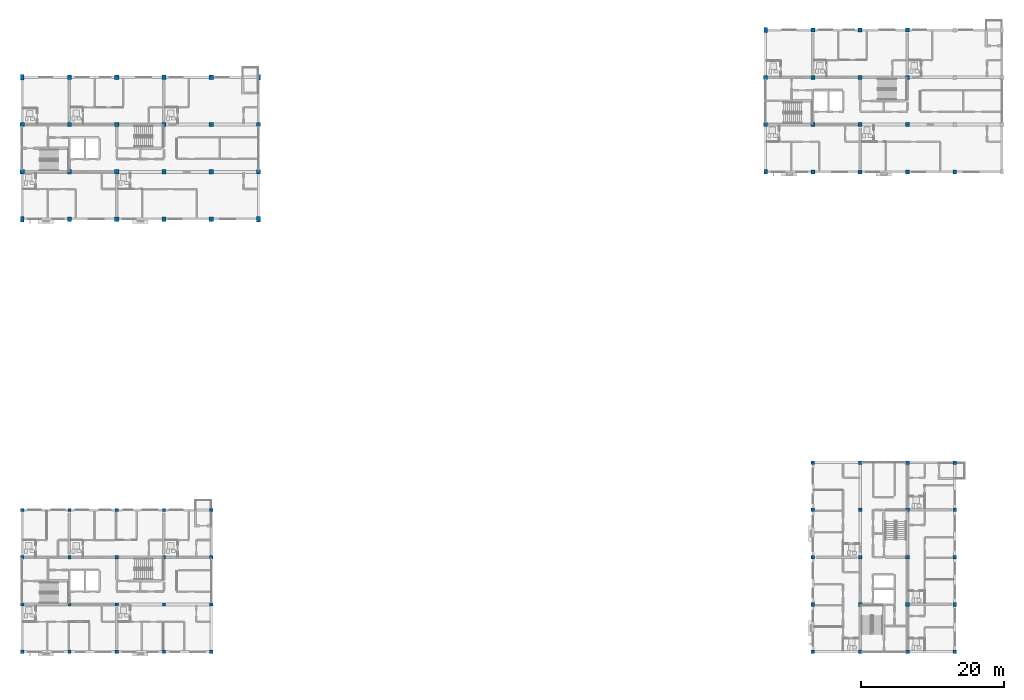
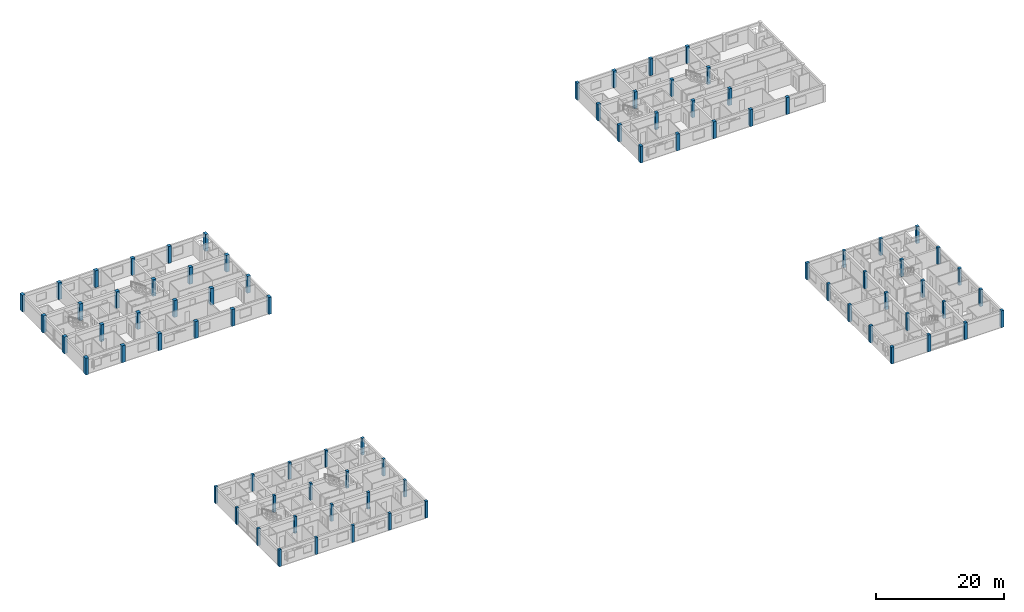
# One storey, part 1 of 52: 81 columns.
"""IFC4 building model written with IfcOpenShell, lengths in metres."""

from ifc_helpers import new_model, si_unit, direction, frame, origin, origin_2d, place, context, subcontext, project, spatial, rectangle, extrude, material, material_profile, profile_set, type_object, element, save


model = new_model("IFC4")

# Units and contexts
model_context = context("Model", 3, precision=1e-05, world=origin(), true_north=direction((0.0, 1.0)))
body_context = subcontext(model_context, "Body", "Model", "MODEL_VIEW")
ifc_project = project(units=[si_unit("LENGTHUNIT", "METRE"), si_unit("AREAUNIT", "SQUARE_METRE"), si_unit("VOLUMEUNIT", "CUBIC_METRE"), si_unit("PLANEANGLEUNIT", "RADIAN"), si_unit("MASSUNIT", "GRAM", prefix="KILO")], contexts=[model_context])

# Site, building, storey
site_placement = place(None, origin())
site = spatial("IfcSite", under=ifc_project, at=site_placement, CompositionType="ELEMENT")
building_placement = place(site_placement, origin())
building = spatial("IfcBuilding", under=site, at=building_placement, Name="Kernevlak Ridge Housing Community", CompositionType="ELEMENT")
storey_placement = place(building_placement, frame((0.0, 0.0, 11.60009765625)))
storey = spatial("IfcBuildingStorey", under=building, at=storey_placement, Name="L03", CompositionType="ELEMENT", Elevation=11.60009765625)

# Columns
ifc_material_1 = material(Name="Concrete C40/50", Category="concrete")
ifc_material_profile_1 = material_profile(ifc_material_1, rectangle(XDim=0.60009765625, YDim=0.60009765625, at=origin_2d()), Name="RC 600x600")
ifc_profile_set_1 = profile_set([ifc_material_profile_1], Name="Concrete C40/50")
column_type_1 = type_object("IfcColumnType", Name="C-01", PredefinedType="COLUMN", material=ifc_profile_set_1)
for number, where, z_axis, x_axis, name in (
    (1, (15.60009765625, 82.60009765625, 0.0), (0.0, 0.0, 1.0), (1.0, 0.0, 0.0), "Column C-01 COL-A-L03-00-1"),
    (2, (15.60009765625, 89.199951171875, 0.0), (0.0, 0.0, 1.0), (1.0, 0.0, 0.0), "Column C-01 COL-A-L03-00-2"),
    (3, (22.199951171875, 76.0, 0.0), (0.0, 0.0, 1.0), (1.0, 0.0, 0.0), "Column C-01 COL-A-L03-01-0"),
    (4, (22.199951171875, 82.60009765625, 0.0), (0.0, 0.0, 1.0), (1.0, 0.0, 0.0), "Column C-01 COL-A-L03-01-1"),
    (5, (22.199951171875, 89.199951171875, 0.0), (0.0, 0.0, 1.0), (1.0, 0.0, 0.0), "Column C-01 COL-A-L03-01-2"),
    (6, (22.199951171875, 95.800048828125, 0.0), (0.0, 0.0, 1.0), (1.0, 0.0, 0.0), "Column C-01 COL-A-L03-01-3"),
    (7, (28.800048828125, 76.0, 0.0), (0.0, 0.0, 1.0), (1.0, 0.0, 0.0), "Column C-01 COL-A-L03-02-0"),
    (8, (28.800048828125, 82.60009765625, 0.0), (0.0, 0.0, 1.0), (1.0, 0.0, 0.0), "Column C-01 COL-A-L03-02-1"),
    (9, (28.800048828125, 89.199951171875, 0.0), (0.0, 0.0, 1.0), (1.0, 0.0, 0.0), "Column C-01 COL-A-L03-02-2"),
    (10, (28.800048828125, 95.800048828125, 0.0), (0.0, 0.0, 1.0), (1.0, 0.0, 0.0), "Column C-01 COL-A-L03-02-3"),
    (11, (35.39990234375, 76.0, 0.0), (0.0, 0.0, 1.0), (1.0, 0.0, 0.0), "Column C-01 COL-A-L03-03-0"),
    (12, (35.39990234375, 82.60009765625, 0.0), (0.0, 0.0, 1.0), (1.0, 0.0, 0.0), "Column C-01 COL-A-L03-03-1"),
    (13, (35.39990234375, 89.199951171875, 0.0), (0.0, 0.0, 1.0), (1.0, 0.0, 0.0), "Column C-01 COL-A-L03-03-2"),
    (14, (35.39990234375, 95.800048828125, 0.0), (0.0, 0.0, 1.0), (1.0, 0.0, 0.0), "Column C-01 COL-A-L03-03-3"),
    (15, (42.0, 76.0, 0.0), (0.0, 0.0, 1.0), (1.0, 0.0, 0.0), "Column C-01 COL-A-L03-04-0"),
    (16, (42.0, 82.60009765625, 0.0), (0.0, 0.0, 1.0), (1.0, 0.0, 0.0), "Column C-01 COL-A-L03-04-1"),
    (17, (42.0, 89.199951171875, 0.0), (0.0, 0.0, 1.0), (1.0, 0.0, 0.0), "Column C-01 COL-A-L03-04-2"),
    (18, (42.0, 95.800048828125, 0.0), (0.0, 0.0, 1.0), (1.0, 0.0, 0.0), "Column C-01 COL-A-L03-04-3"),
    (19, (48.60009765625, 82.60009765625, 0.0), (0.0, 0.0, 1.0), (1.0, 0.0, 0.0), "Column C-01 COL-A-L03-05-1"),
    (20, (48.60009765625, 89.199951171875, 0.0), (0.0, 0.0, 1.0), (1.0, 0.0, 0.0), "Column C-01 COL-A-L03-05-2"),
):
    element("IfcColumn", number, at=place(storey_placement, frame(where, z_axis=z_axis, x_axis=x_axis)), inside=storey, type_object=column_type_1, Name=name, PredefinedType="COLUMN", context=body_context, shape_type="SweptSolid", body=[
        extrude(rectangle(XDim=0.60009765625, YDim=0.60009765625, at=origin_2d()), origin(), (0.0, 0.0, 1.0), 3.199951171875),
    ])
ifc_material_profile_2 = material_profile(ifc_material_1, rectangle(XDim=0.550048828125, YDim=0.550048828125, at=origin_2d()), Name="RC 550x550")
ifc_profile_set_2 = profile_set([ifc_material_profile_2], Name="Concrete C40/50")
column_type_2 = type_object("IfcColumnType", Name="C-02", PredefinedType="COLUMN", material=ifc_profile_set_2)
for number, where, z_axis, x_axis, name in (
    (21, (119.39990234375, 89.199951171875, 0.0), (0.0, 0.0, 1.0), (1.0, 0.0, 0.0), "Column C-02 COL-B-L03-00-1"),
    (22, (119.39990234375, 95.800048828125, 0.0), (0.0, 0.0, 1.0), (1.0, 0.0, 0.0), "Column C-02 COL-B-L03-00-2"),
    (23, (126.0, 82.60009765625, 0.0), (0.0, 0.0, 1.0), (1.0, 0.0, 0.0), "Column C-02 COL-B-L03-01-0"),
    (24, (126.0, 89.199951171875, 0.0), (0.0, 0.0, 1.0), (1.0, 0.0, 0.0), "Column C-02 COL-B-L03-01-1"),
    (25, (126.0, 95.800048828125, 0.0), (0.0, 0.0, 1.0), (1.0, 0.0, 0.0), "Column C-02 COL-B-L03-01-2"),
    (26, (126.0, 102.39990234375, 0.0), (0.0, 0.0, 1.0), (1.0, 0.0, 0.0), "Column C-02 COL-B-L03-01-3"),
    (27, (132.60009765625, 82.60009765625, 0.0), (0.0, 0.0, 1.0), (1.0, 0.0, 0.0), "Column C-02 COL-B-L03-02-0"),
    (28, (132.60009765625, 89.199951171875, 0.0), (0.0, 0.0, 1.0), (1.0, 0.0, 0.0), "Column C-02 COL-B-L03-02-1"),
    (29, (132.60009765625, 95.800048828125, 0.0), (0.0, 0.0, 1.0), (1.0, 0.0, 0.0), "Column C-02 COL-B-L03-02-2"),
    (30, (132.60009765625, 102.39990234375, 0.0), (0.0, 0.0, 1.0), (1.0, 0.0, 0.0), "Column C-02 COL-B-L03-02-3"),
    (31, (139.199951171875, 82.60009765625, 0.0), (0.0, 0.0, 1.0), (1.0, 0.0, 0.0), "Column C-02 COL-B-L03-03-0"),
    (32, (139.199951171875, 89.199951171875, 0.0), (0.0, 0.0, 1.0), (1.0, 0.0, 0.0), "Column C-02 COL-B-L03-03-1"),
    (33, (139.199951171875, 95.800048828125, 0.0), (0.0, 0.0, 1.0), (1.0, 0.0, 0.0), "Column C-02 COL-B-L03-03-2"),
    (34, (139.199951171875, 102.39990234375, 0.0), (0.0, 0.0, 1.0), (1.0, 0.0, 0.0), "Column C-02 COL-B-L03-03-3"),
    (35, (145.800048828125, 82.60009765625, 0.0), (0.0, 0.0, 1.0), (1.0, 0.0, 0.0), "Column C-02 COL-B-L03-04-0"),
):
    element("IfcColumn", number, at=place(storey_placement, frame(where, z_axis=z_axis, x_axis=x_axis)), inside=storey, type_object=column_type_2, Name=name, PredefinedType="COLUMN", context=body_context, shape_type="SweptSolid", body=[
        extrude(rectangle(XDim=0.550048828125, YDim=0.550048828125, at=origin_2d()), origin(), (0.0, 0.0, 1.0), 3.199951171875),
    ])
ifc_material_profile_3 = material_profile(ifc_material_1, rectangle(XDim=0.5, YDim=0.5, at=origin_2d()), Name="RC 500x500")
ifc_profile_set_3 = profile_set([ifc_material_profile_3], Name="Concrete C40/50")
column_type_3 = type_object("IfcColumnType", Name="C-03", PredefinedType="COLUMN", material=ifc_profile_set_3)
for number, where, z_axis, x_axis, name in (
    (36, (126.0, 15.60009765625, 0.0), (0.0, 0.0, 1.0), (1.0, 0.0, 0.0), "Column C-03 COL-C-L03-00-0"),
    (37, (132.60009765625, 15.60009765625, 0.0), (0.0, 0.0, 1.0), (1.0, 0.0, 0.0), "Column C-03 COL-C-L03-00-1"),
    (38, (139.199951171875, 15.60009765625, 0.0), (0.0, 0.0, 1.0), (1.0, 0.0, 0.0), "Column C-03 COL-C-L03-00-2"),
    (39, (145.800048828125, 15.60009765625, 0.0), (0.0, 0.0, 1.0), (1.0, 0.0, 0.0), "Column C-03 COL-C-L03-00-3"),
    (40, (126.0, 22.199951171875, 0.0), (0.0, 0.0, 1.0), (1.0, 0.0, 0.0), "Column C-03 COL-C-L03-01-0"),
    (41, (132.60009765625, 22.199951171875, 0.0), (0.0, 0.0, 1.0), (1.0, 0.0, 0.0), "Column C-03 COL-C-L03-01-1"),
    (42, (139.199951171875, 22.199951171875, 0.0), (0.0, 0.0, 1.0), (1.0, 0.0, 0.0), "Column C-03 COL-C-L03-01-2"),
    (43, (145.800048828125, 22.199951171875, 0.0), (0.0, 0.0, 1.0), (1.0, 0.0, 0.0), "Column C-03 COL-C-L03-01-3"),
    (44, (126.0, 28.800048828125, 0.0), (0.0, 0.0, 1.0), (1.0, 0.0, 0.0), "Column C-03 COL-C-L03-02-0"),
    (45, (132.60009765625, 28.800048828125, 0.0), (0.0, 0.0, 1.0), (1.0, 0.0, 0.0), "Column C-03 COL-C-L03-02-1"),
    (46, (139.199951171875, 28.800048828125, 0.0), (0.0, 0.0, 1.0), (1.0, 0.0, 0.0), "Column C-03 COL-C-L03-02-2"),
    (47, (145.800048828125, 28.800048828125, 0.0), (0.0, 0.0, 1.0), (1.0, 0.0, 0.0), "Column C-03 COL-C-L03-02-3"),
    (48, (126.0, 35.39990234375, 0.0), (0.0, 0.0, 1.0), (1.0, 0.0, 0.0), "Column C-03 COL-C-L03-03-0"),
    (49, (132.60009765625, 35.39990234375, 0.0), (0.0, 0.0, 1.0), (1.0, 0.0, 0.0), "Column C-03 COL-C-L03-03-1"),
    (50, (139.199951171875, 35.39990234375, 0.0), (0.0, 0.0, 1.0), (1.0, 0.0, 0.0), "Column C-03 COL-C-L03-03-2"),
    (51, (145.800048828125, 35.39990234375, 0.0), (0.0, 0.0, 1.0), (1.0, 0.0, 0.0), "Column C-03 COL-C-L03-03-3"),
    (52, (126.0, 42.0, 0.0), (0.0, 0.0, 1.0), (1.0, 0.0, 0.0), "Column C-03 COL-C-L03-04-0"),
    (53, (132.60009765625, 42.0, 0.0), (0.0, 0.0, 1.0), (1.0, 0.0, 0.0), "Column C-03 COL-C-L03-04-1"),
    (54, (139.199951171875, 42.0, 0.0), (0.0, 0.0, 1.0), (1.0, 0.0, 0.0), "Column C-03 COL-C-L03-04-2"),
    (55, (145.800048828125, 42.0, 0.0), (0.0, 0.0, 1.0), (1.0, 0.0, 0.0), "Column C-03 COL-C-L03-04-3"),
):
    element("IfcColumn", number, at=place(storey_placement, frame(where, z_axis=z_axis, x_axis=x_axis)), inside=storey, type_object=column_type_3, Name=name, PredefinedType="COLUMN", context=body_context, shape_type="SweptSolid", body=[
        extrude(rectangle(XDim=0.5, YDim=0.5, at=origin_2d()), origin(), (0.0, 0.0, 1.0), 3.199951171875),
    ])
ifc_material_2 = material(Name="Concrete C35/45", Category="concrete")
ifc_material_profile_4 = material_profile(ifc_material_2, rectangle(XDim=0.449951171875, YDim=0.449951171875, at=origin_2d()), Name="RC 450x450")
ifc_profile_set_4 = profile_set([ifc_material_profile_4], Name="Concrete C35/45")
column_type_4 = type_object("IfcColumnType", Name="C-04", PredefinedType="COLUMN", material=ifc_profile_set_4)
for number, where, z_axis, x_axis, name in (
    (56, (15.60009765625, 15.60009765625, 0.0), (0.0, 0.0, 1.0), (1.0, 0.0, 0.0), "Column C-04 COL-D-L03-00-0"),
    (57, (15.60009765625, 22.199951171875, 0.0), (0.0, 0.0, 1.0), (1.0, 0.0, 0.0), "Column C-04 COL-D-L03-00-1"),
    (58, (15.60009765625, 28.800048828125, 0.0), (0.0, 0.0, 1.0), (1.0, 0.0, 0.0), "Column C-04 COL-D-L03-00-2"),
    (59, (15.60009765625, 35.39990234375, 0.0), (0.0, 0.0, 1.0), (1.0, 0.0, 0.0), "Column C-04 COL-D-L03-00-3"),
    (60, (22.199951171875, 15.60009765625, 0.0), (0.0, 0.0, 1.0), (1.0, 0.0, 0.0), "Column C-04 COL-D-L03-01-0"),
    (61, (22.199951171875, 22.199951171875, 0.0), (0.0, 0.0, 1.0), (1.0, 0.0, 0.0), "Column C-04 COL-D-L03-01-1"),
    (62, (22.199951171875, 28.800048828125, 0.0), (0.0, 0.0, 1.0), (1.0, 0.0, 0.0), "Column C-04 COL-D-L03-01-2"),
    (63, (22.199951171875, 35.39990234375, 0.0), (0.0, 0.0, 1.0), (1.0, 0.0, 0.0), "Column C-04 COL-D-L03-01-3"),
    (64, (28.800048828125, 15.60009765625, 0.0), (0.0, 0.0, 1.0), (1.0, 0.0, 0.0), "Column C-04 COL-D-L03-02-0"),
    (65, (28.800048828125, 22.199951171875, 0.0), (0.0, 0.0, 1.0), (1.0, 0.0, 0.0), "Column C-04 COL-D-L03-02-1"),
    (66, (28.800048828125, 28.800048828125, 0.0), (0.0, 0.0, 1.0), (1.0, 0.0, 0.0), "Column C-04 COL-D-L03-02-2"),
    (67, (28.800048828125, 35.39990234375, 0.0), (0.0, 0.0, 1.0), (1.0, 0.0, 0.0), "Column C-04 COL-D-L03-02-3"),
    (68, (35.39990234375, 15.60009765625, 0.0), (0.0, 0.0, 1.0), (1.0, 0.0, 0.0), "Column C-04 COL-D-L03-03-0"),
    (69, (35.39990234375, 22.199951171875, 0.0), (0.0, 0.0, 1.0), (1.0, 0.0, 0.0), "Column C-04 COL-D-L03-03-1"),
    (70, (35.39990234375, 28.800048828125, 0.0), (0.0, 0.0, 1.0), (1.0, 0.0, 0.0), "Column C-04 COL-D-L03-03-2"),
    (71, (35.39990234375, 35.39990234375, 0.0), (0.0, 0.0, 1.0), (1.0, 0.0, 0.0), "Column C-04 COL-D-L03-03-3"),
    (72, (42.0, 15.60009765625, 0.0), (0.0, 0.0, 1.0), (1.0, 0.0, 0.0), "Column C-04 COL-D-L03-04-0"),
    (73, (42.0, 22.199951171875, 0.0), (0.0, 0.0, 1.0), (1.0, 0.0, 0.0), "Column C-04 COL-D-L03-04-1"),
    (74, (42.0, 28.800048828125, 0.0), (0.0, 0.0, 1.0), (1.0, 0.0, 0.0), "Column C-04 COL-D-L03-04-2"),
    (75, (42.0, 35.39990234375, 0.0), (0.0, 0.0, 1.0), (1.0, 0.0, 0.0), "Column C-04 COL-D-L03-04-3"),
):
    element("IfcColumn", number, at=place(storey_placement, frame(where, z_axis=z_axis, x_axis=x_axis)), inside=storey, type_object=column_type_4, Name=name, PredefinedType="COLUMN", context=body_context, shape_type="SweptSolid", body=[
        extrude(rectangle(XDim=0.449951171875, YDim=0.449951171875, at=origin_2d()), origin(), (0.0, 0.0, 1.0), 3.199951171875),
    ])
ifc_material_profile_5 = material_profile(ifc_material_1, rectangle(XDim=0.5, YDim=0.75, at=origin_2d()), Name="RC 500x750")
ifc_profile_set_5 = profile_set([ifc_material_profile_5], Name="Concrete C40/50")
column_type_5 = type_object("IfcColumnType", Name="C-07", PredefinedType="COLUMN", material=ifc_profile_set_5)
for number, where, z_axis, x_axis, name in (
    (76, (15.60009765625, 76.0, 0.0), (0.0, 0.0, 1.0), (1.0, 0.0, 0.0), "Column C-07 COL-A-L03-00-0"),
    (77, (15.60009765625, 95.800048828125, 0.0), (0.0, 0.0, 1.0), (1.0, 0.0, 0.0), "Column C-07 COL-A-L03-00-3"),
    (78, (48.60009765625, 76.0, 0.0), (0.0, 0.0, 1.0), (1.0, 0.0, 0.0), "Column C-07 COL-A-L03-05-0"),
    (79, (48.60009765625, 95.800048828125, 0.0), (0.0, 0.0, 1.0), (1.0, 0.0, 0.0), "Column C-07 COL-A-L03-05-3"),
):
    element("IfcColumn", number, at=place(storey_placement, frame(where, z_axis=z_axis, x_axis=x_axis)), inside=storey, type_object=column_type_5, Name=name, PredefinedType="COLUMN", context=body_context, shape_type="SweptSolid", body=[
        extrude(rectangle(XDim=0.5, YDim=0.75, at=origin_2d()), origin(), (0.0, 0.0, 1.0), 3.199951171875),
    ])
ifc_material_profile_6 = material_profile(ifc_material_1, rectangle(XDim=0.449951171875, YDim=0.64990234375, at=origin_2d()), Name="RC 450x650")
ifc_profile_set_6 = profile_set([ifc_material_profile_6], Name="Concrete C40/50")
column_type_6 = type_object("IfcColumnType", Name="C-08", PredefinedType="COLUMN", material=ifc_profile_set_6)
for number, where, z_axis, x_axis, name in (
    (80, (119.39990234375, 82.60009765625, 0.0), (0.0, 0.0, 1.0), (1.0, 0.0, 0.0), "Column C-08 COL-B-L03-00-0"),
    (81, (119.39990234375, 102.39990234375, 0.0), (0.0, 0.0, 1.0), (1.0, 0.0, 0.0), "Column C-08 COL-B-L03-00-3"),
):
    element("IfcColumn", number, at=place(storey_placement, frame(where, z_axis=z_axis, x_axis=x_axis)), inside=storey, type_object=column_type_6, Name=name, PredefinedType="COLUMN", context=body_context, shape_type="SweptSolid", body=[
        extrude(rectangle(XDim=0.449951171875, YDim=0.64990234375, at=origin_2d()), origin(), (0.0, 0.0, 1.0), 3.199951171875),
    ])

save(model, "model.ifc")
